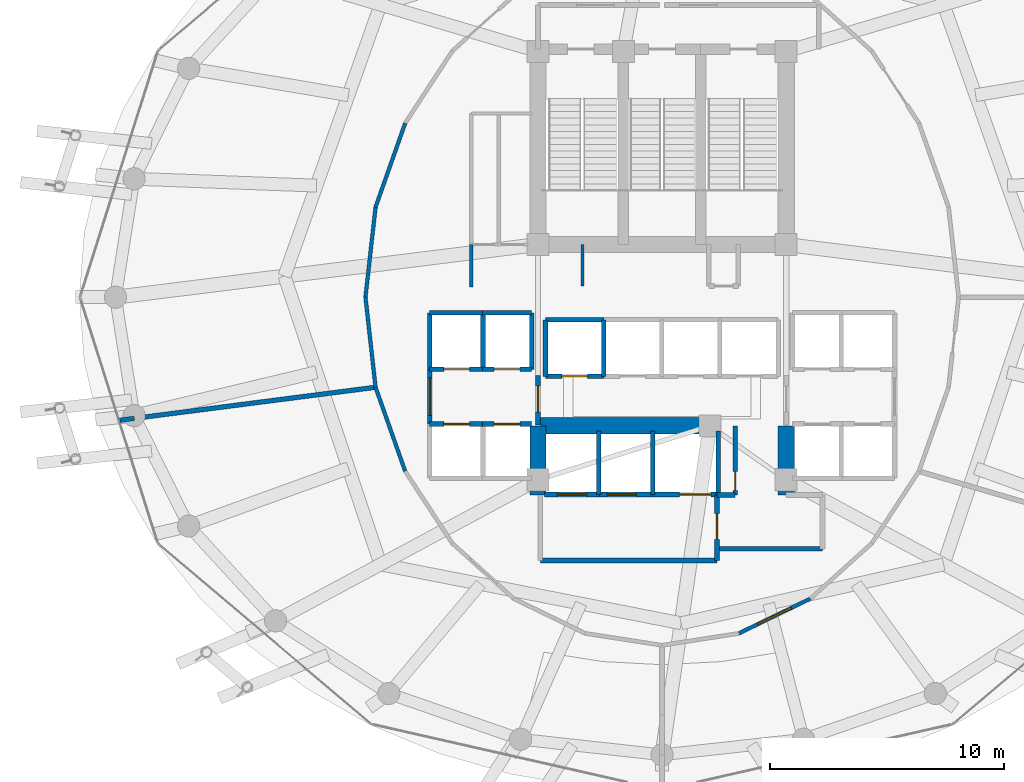
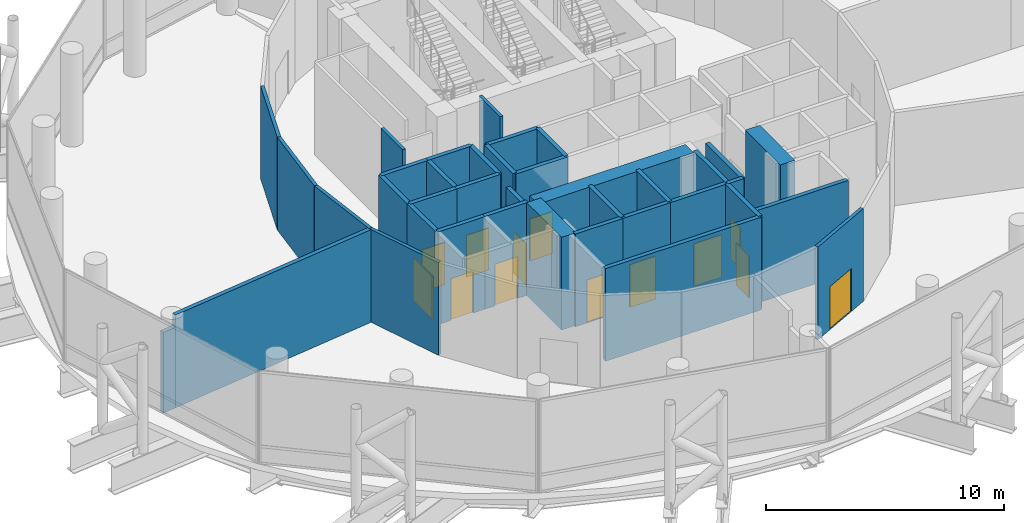
# One storey, part 22 of 29: 38 walls, 13 doors, 13 openings.
"""IFC4 building model written with IfcOpenShell, lengths in metres."""

from ifc_helpers import new_model, si_unit, direction, frame, frame_2d, origin, place, context, subcontext, project, spatial, rectangle, extrude, material, layer, layer_set, type_object, element, fill, save


model = new_model("IFC4")

# Units and contexts
model_context = context("Model", 3, precision=1e-05, world=origin(), true_north=direction((0.0, 1.0)))
body_context = subcontext(model_context, "Body", "Model", "MODEL_VIEW")
ifc_project = project(units=[si_unit("LENGTHUNIT", "METRE"), si_unit("AREAUNIT", "SQUARE_METRE"), si_unit("VOLUMEUNIT", "CUBIC_METRE"), si_unit("PLANEANGLEUNIT", "RADIAN"), si_unit("MASSUNIT", "GRAM", prefix="KILO")], contexts=[model_context])

# Site, building, storey
site_placement = place(None, origin())
site = spatial("IfcSite", under=ifc_project, at=site_placement, CompositionType="ELEMENT")
building_placement = place(site_placement, origin())
building = spatial("IfcBuilding", under=site, at=building_placement, Name="Nuhasar Tower", CompositionType="ELEMENT")
storey_placement = place(building_placement, frame((0.0, 0.0, 113.25)))
storey = spatial("IfcBuildingStorey", under=building, at=storey_placement, Name="L26", CompositionType="ELEMENT", Elevation=113.25)

# Walls
ifc_material_1 = material(Name="Concrete C65/80", Category="concrete")
ifc_layer_1 = layer(ifc_material_1, 0.699951171875)
ifc_layer_set_1 = layer_set([ifc_layer_1], Name="Concrete C65/80")
wall_type_1 = type_object("IfcWallType", Name="WL-CORE-700", PredefinedType="SHEAR", material=ifc_layer_set_1)
for number, where, z_axis, x_axis, name in (
    (1, (33.699951171875, 18.35009765625, 0.0), (0.0, 0.0, 1.0), (0.0, 1.0, 0.0), "L26 Core Shear Wall CW-SW CW-700"),
    (2, (44.300048828125, 18.35009765625, 0.0), (0.0, 0.0, 1.0), (0.0, 1.0, 0.0), "L26 Core Shear Wall CW-SE CW-700"),
):
    element("IfcWall", number, at=place(storey_placement, frame(where, z_axis=z_axis, x_axis=x_axis)), inside=storey, type_object=wall_type_1, Name=name, PredefinedType="SHEAR", context=body_context, shape_type="SweptSolid", body=[
        extrude(rectangle(XDim=2.949951171875, YDim=0.699951171875, at=frame_2d((1.47509765625, 0.0))), origin(), (0.0, 0.0, 1.0), 4.75),
    ])
wall_1_placement = place(storey_placement, frame((33.699951171875, 21.300048828125, 0.0), z_axis=(0.0, 0.0, 1.0), x_axis=(1.0, 0.0, 0.0)))
element("IfcWall", 3, at=wall_1_placement, inside=storey, type_object=wall_type_1, Name="L26 Core Shear Wall CW-S1 CW-700", PredefinedType="SHEAR", context=body_context, shape_type="SweptSolid", body=[
    extrude(rectangle(XDim=7.550048828125, YDim=0.699951171875, at=frame_2d((3.77490234375, 0.0))), origin(), (0.0, 0.0, 1.0), 4.75),
])
ifc_material_2 = material(Name="Gypsum Board", Category="gypsum")
ifc_layer_2 = layer(ifc_material_2, 0.159912109375)
ifc_layer_set_2 = layer_set([ifc_layer_2], Name="Gypsum Board")
wall_type_2 = type_object("IfcWallType", Name="WL-CORR-160", PredefinedType="PARTITIONING", material=ifc_layer_set_2)
wall_2_placement = place(storey_placement, frame((28.027099609375, 34.235107421875, 0.0), z_axis=(0.0, 0.0, 1.0), x_axis=(-0.332685787644, -0.943037733444, 0.0)))
element("IfcWall", 4, at=wall_2_placement, inside=storey, type_object=wall_type_2, Name="L26 Interior Partition CORR-20", PredefinedType="PARTITIONING", context=body_context, shape_type="SweptSolid", body=[
    extrude(rectangle(XDim=3.802734375, YDim=0.159912109375, at=frame_2d((1.9013671875, 0.0))), origin(), (0.0, 0.0, 1.0), 4.75),
])
wall_3_placement = place(storey_placement, frame((26.761962890625, 30.64892578125, 0.0), z_axis=(0.0, 0.0, 1.0), x_axis=(-0.111510761023, -0.993763226416, 0.0)))
element("IfcWall", 5, at=wall_3_placement, inside=storey, type_object=wall_type_2, Name="L26 Interior Partition CORR-22", PredefinedType="PARTITIONING", context=body_context, shape_type="SweptSolid", body=[
    extrude(rectangle(XDim=3.873046875, YDim=0.159912109375, at=frame_2d((1.9365234375, 0.0))), origin(), (0.0, 0.0, 1.0), 4.75),
])
wall_4_placement = place(storey_placement, frame((26.330078125, 26.800048828125, 0.0), z_axis=(0.0, 0.0, 1.0), x_axis=(0.1115037761, -0.993764010173, 0.0)))
element("IfcWall", 6, at=wall_4_placement, inside=storey, type_object=wall_type_2, Name="L26 Interior Partition CORR-24", PredefinedType="PARTITIONING", context=body_context, shape_type="SweptSolid", body=[
    extrude(rectangle(XDim=3.873291015625, YDim=0.159912109375, at=frame_2d((1.9365234375, 0.0))), origin(), (0.0, 0.0, 1.0), 4.75),
])
wall_5_placement = place(storey_placement, frame((26.761962890625, 22.950927734375, 0.0), z_axis=(0.0, 0.0, 1.0), x_axis=(0.332705930675, -0.943030627124, 0.0)))
element("IfcWall", 7, at=wall_5_placement, inside=storey, type_object=wall_type_2, Name="L26 Interior Partition CORR-26", PredefinedType="PARTITIONING", context=body_context, shape_type="SweptSolid", body=[
    extrude(rectangle(XDim=3.802490234375, YDim=0.159912109375, at=frame_2d((1.9013671875, 0.0))), origin(), (0.0, 0.0, 1.0), 4.75),
])

# Wall, opening, door
wall_6_placement = place(storey_placement, frame((45.3349609375, 13.922119140625, 0.0), z_axis=(0.0, 0.0, 1.0), x_axis=(-0.899414545514, -0.437096642995, 0.0)))
wall_6 = element("IfcWall", 8, at=wall_6_placement, inside=storey, type_object=wall_type_2, Name="L26 Interior Partition CORR-38", PredefinedType="PARTITIONING", context=body_context, shape_type="SweptSolid", body=[
    extrude(rectangle(XDim=3.397705078125, YDim=0.159912109375, at=frame_2d((1.69873046875, 0.0))), origin(), (0.0, 0.0, 1.0), 4.75),
])
opening_1_placement = place(wall_6_placement, frame((0.89892578125, 0.0, 0.0)))
opening_1 = element("IfcOpeningElement", 9, at=opening_1_placement, cuts=wall_6, Name="Opening DC-01", PredefinedType="OPENING", context=body_context, shape_type="SweptSolid", body=[
    extrude(rectangle(XDim=1.60009765625, YDim=2.199951171875, at=frame_2d((0.800048828125, 1.10009765625))), frame((0.0, 0.08984375, 0.0), z_axis=(0.0, -1.0, 0.0), x_axis=(1.0, 0.0, 0.0)), (0.0, 0.0, 1.0), 0.179931640625),
])
ifc_material_3 = material(Name="Steel S355", Category="steel")
door_type_1 = type_object("IfcDoorType", Name="DR-CORR-FD60-1600", OperationType="DOUBLE_DOOR_SINGLE_SWING", PredefinedType="DOOR", material=ifc_material_3)
door_1_placement = place(opening_1_placement, origin())
door_1 = element("IfcDoor", 10, at=door_1_placement, inside=storey, type_object=door_type_1, Name="L26 South Business Boardroom Door", OperationType="DOUBLE_DOOR_SINGLE_SWING", OverallHeight=2.199951171875, OverallWidth=1.60009765625, PredefinedType="DOOR", context=body_context, shape_type="SweptSolid", body=[
    extrude(rectangle(XDim=1.60009765625, YDim=2.199951171875, at=frame_2d((0.800048828125, 1.10009765625))), frame((0.0, 0.02490234375, 0.0), z_axis=(0.0, -1.0, 0.0), x_axis=(1.0, 0.0, 0.0)), (0.0, 0.0, 1.0), 0.050048828125),
])
fill(opening_1, door_1)

ifc_material_4 = material(Name="Concrete C45/55", Category="concrete")
ifc_layer_3 = layer(ifc_material_4, 0.199951171875)
ifc_layer_set_3 = layer_set([ifc_layer_3], Name="Concrete C45/55")
wall_type_3 = type_object("IfcWallType", Name="WL-LOBBY-200", PredefinedType="SOLIDWALL", material=ifc_layer_set_3)
wall_7_placement = place(storey_placement, frame((29.070068359375, 21.3798828125, 0.0), z_axis=(0.0, 0.0, 1.0), x_axis=(0.0, 1.0, 0.0)))
wall_7 = element("IfcWall", 11, at=wall_7_placement, inside=storey, type_object=wall_type_3, Name="L26 Interior Partition LLBL-W", PredefinedType="SOLIDWALL", context=body_context, shape_type="SweptSolid", body=[
    extrude(rectangle(XDim=2.340087890625, YDim=0.199951171875, at=frame_2d((1.169921875, 0.0))), origin(), (0.0, 0.0, 1.0), 4.75),
])
opening_2_placement = place(wall_7_placement, frame((0.3701171875, 0.0, 0.0)))
opening_2 = element("IfcOpeningElement", 12, at=opening_2_placement, cuts=wall_7, Name="Opening DC-01", PredefinedType="OPENING", context=body_context, shape_type="SweptSolid", body=[
    extrude(rectangle(XDim=1.60009765625, YDim=2.199951171875, at=frame_2d((0.800048828125, 1.10009765625))), frame((0.0, 0.10986328125, 0.0), z_axis=(0.0, -1.0, 0.0), x_axis=(1.0, 0.0, 0.0)), (0.0, 0.0, 1.0), 0.219970703125),
])
door_2_placement = place(opening_2_placement, origin())
door_2 = element("IfcDoor", 13, at=door_2_placement, inside=storey, type_object=door_type_1, Name="L26 Low-Rise Lift Lobby West Entry", OperationType="DOUBLE_DOOR_SINGLE_SWING", OverallHeight=2.199951171875, OverallWidth=1.60009765625, PredefinedType="DOOR", context=body_context, shape_type="SweptSolid", body=[
    extrude(rectangle(XDim=1.60009765625, YDim=2.199951171875, at=frame_2d((0.800048828125, 1.10009765625))), frame((0.0, 0.02490234375, 0.0), z_axis=(0.0, -1.0, 0.0), x_axis=(1.0, 0.0, 0.0)), (0.0, 0.0, 1.0), 0.050048828125),
])
fill(opening_2, door_2)

wall_8_placement = place(storey_placement, frame((33.699951171875, 21.35009765625, 0.0), z_axis=(0.0, 0.0, 1.0), x_axis=(0.0, 1.0, 0.0)))
wall_8 = element("IfcWall", 14, at=wall_8_placement, inside=storey, type_object=wall_type_3, Name="L26 Interior Partition LLBH-W", PredefinedType="SOLIDWALL", context=body_context, shape_type="SweptSolid", body=[
    extrude(rectangle(XDim=2.099853515625, YDim=0.199951171875, at=frame_2d((1.0498046875, 0.0))), origin(), (0.0, 0.0, 1.0), 4.135009765625),
])
opening_3_placement = place(wall_8_placement, frame((0.550048828125, 0.0, 0.0)))
opening_3 = element("IfcOpeningElement", 15, at=opening_3_placement, cuts=wall_8, Name="Opening DS-02", PredefinedType="OPENING", context=body_context, shape_type="SweptSolid", body=[
    extrude(rectangle(XDim=1.10009765625, YDim=2.14990234375, at=frame_2d((0.550048828125, 1.074951171875))), frame((0.0, 0.10986328125, 0.0), z_axis=(0.0, -1.0, 0.0), x_axis=(1.0, 0.0, 0.0)), (0.0, 0.0, 1.0), 0.219970703125),
])
door_type_2 = type_object("IfcDoorType", Name="DR-FFL-FD120-1100", OperationType="NOTDEFINED", PredefinedType="DOOR", material=ifc_material_3)
door_3_placement = place(opening_3_placement, origin())
door_3 = element("IfcDoor", 16, at=door_3_placement, inside=storey, type_object=door_type_2, Name="L26 High-Rise Lobby West Door", OperationType="SINGLE_SWING_RIGHT", OverallHeight=2.14990234375, OverallWidth=1.10009765625, PredefinedType="DOOR", context=body_context, shape_type="SweptSolid", body=[
    extrude(rectangle(XDim=1.10009765625, YDim=2.14990234375, at=frame_2d((0.550048828125, 1.074951171875))), frame((0.0, 0.02490234375, 0.0), z_axis=(0.0, -1.0, 0.0), x_axis=(1.0, 0.0, 0.0)), (0.0, 0.0, 1.0), 0.050048828125),
])
fill(opening_3, door_3)

# Wall
wall_9_placement = place(storey_placement, frame((33.800048828125, 15.550048828125, 0.0), z_axis=(0.0, 0.0, 1.0), x_axis=(1.0, 0.0, 0.0)))
element("IfcWall", 17, at=wall_9_placement, inside=storey, type_object=wall_type_3, Name="L26 Interior Partition FFL-S", PredefinedType="SOLIDWALL", context=body_context, shape_type="SweptSolid", body=[
    extrude(rectangle(XDim=7.550048828125, YDim=0.199951171875, at=frame_2d((3.77490234375, 0.0))), origin(), (0.0, 0.0, 1.0), 4.75),
])

# Wall, opening, door
wall_10_placement = place(storey_placement, frame((41.35009765625, 15.550048828125, 0.0), z_axis=(0.0, 0.0, 1.0), x_axis=(0.0, 1.0, 0.0)))
wall_10 = element("IfcWall", 18, at=wall_10_placement, inside=storey, type_object=wall_type_3, Name="L26 Interior Partition FFL-E", PredefinedType="SOLIDWALL", context=body_context, shape_type="SweptSolid", body=[
    extrude(rectangle(XDim=2.800048828125, YDim=0.199951171875, at=frame_2d((1.39990234375, 0.0))), origin(), (0.0, 0.0, 1.0), 4.75),
])
opening_4_placement = place(wall_10_placement, frame((0.89990234375, 0.0, 0.0)))
opening_4 = element("IfcOpeningElement", 19, at=opening_4_placement, cuts=wall_10, Name="Opening DS-02", PredefinedType="OPENING", context=body_context, shape_type="SweptSolid", body=[
    extrude(rectangle(XDim=1.10009765625, YDim=2.14990234375, at=frame_2d((0.550048828125, 1.074951171875))), frame((0.0, 0.10986328125, 0.0), z_axis=(0.0, -1.0, 0.0), x_axis=(1.0, 0.0, 0.0)), (0.0, 0.0, 1.0), 0.219970703125),
])
door_4_placement = place(opening_4_placement, origin())
door_4 = element("IfcDoor", 20, at=door_4_placement, inside=storey, type_object=door_type_2, Name="L26 Firefighting Lobby Door", OperationType="SINGLE_SWING_RIGHT", OverallHeight=2.14990234375, OverallWidth=1.10009765625, PredefinedType="DOOR", context=body_context, shape_type="SweptSolid", body=[
    extrude(rectangle(XDim=1.10009765625, YDim=2.14990234375, at=frame_2d((0.550048828125, 1.074951171875))), frame((0.0, 0.02490234375, 0.0), z_axis=(0.0, -1.0, 0.0), x_axis=(1.0, 0.0, 0.0)), (0.0, 0.0, 1.0), 0.050048828125),
])
fill(opening_4, door_4)

# Wall
wall_11_placement = place(storey_placement, frame((41.35009765625, 16.050048828125, 0.0), z_axis=(0.0, 0.0, 1.0), x_axis=(1.0, 0.0, 0.0)))
element("IfcWall", 21, at=wall_11_placement, inside=storey, type_object=wall_type_3, Name="L26 Interior Partition SVLV-S", PredefinedType="SOLIDWALL", context=body_context, shape_type="SweptSolid", body=[
    extrude(rectangle(XDim=4.5, YDim=0.199951171875, at=frame_2d((2.25, 0.0))), origin(), (0.0, 0.0, 1.0), 4.75),
])

# Wall, opening, door
ifc_layer_4 = layer(ifc_material_4, 0.199951171875)
ifc_layer_set_4 = layer_set([ifc_layer_4], Name="Concrete C45/55")
wall_type_4 = type_object("IfcWallType", Name="WL-SHAFT-200", PredefinedType="SOLIDWALL", material=ifc_layer_set_4)
wall_12_placement = place(storey_placement, frame((29.070068359375, 23.719970703125, 0.0), z_axis=(0.0, 0.0, 1.0), x_axis=(1.0, 0.0, 0.0)))
wall_12 = element("IfcWall", 22, at=wall_12_placement, inside=storey, type_object=wall_type_4, Name="L26 Interior Partition SHF-PL-L01-S", PredefinedType="SOLIDWALL", context=body_context, shape_type="SweptSolid", body=[
    extrude(rectangle(XDim=2.309814453125, YDim=0.199951171875, at=frame_2d((1.15478515625, 0.0))), origin(), (0.0, 0.0, 1.0), 4.75),
])
opening_5_placement = place(wall_12_placement, frame((0.60498046875, 0.0, 0.0)))
opening_5 = element("IfcOpeningElement", 23, at=opening_5_placement, cuts=wall_12, Name="Opening LD-L01", PredefinedType="OPENING", context=body_context, shape_type="SweptSolid", body=[
    extrude(rectangle(XDim=1.10009765625, YDim=2.14990234375, at=frame_2d((0.550048828125, 1.074951171875))), frame((0.0, 0.10986328125, 0.0), z_axis=(0.0, -1.0, 0.0), x_axis=(1.0, 0.0, 0.0)), (0.0, 0.0, 1.0), 0.219970703125),
])
ifc_material_5 = material(Name="Stainless Steel 316L", Category="steel")
door_type_3 = type_object("IfcDoorType", Name="LD-PAX-1100", OperationType="DOUBLE_DOOR_SLIDING", PredefinedType="DOOR", material=ifc_material_5)
door_5_placement = place(opening_5_placement, origin())
door_5 = element("IfcDoor", 24, at=door_5_placement, inside=storey, type_object=door_type_3, Name="L26 Lift Landing Door PL-L01", OperationType="DOUBLE_DOOR_SLIDING", OverallHeight=2.14990234375, OverallWidth=1.10009765625, PredefinedType="DOOR", context=body_context, shape_type="SweptSolid", body=[
    extrude(rectangle(XDim=1.10009765625, YDim=2.14990234375, at=frame_2d((0.550048828125, 1.074951171875))), frame((0.0, 0.02490234375, 0.0), z_axis=(0.0, -1.0, 0.0), x_axis=(1.0, 0.0, 0.0)), (0.0, 0.0, 1.0), 0.050048828125),
])
fill(opening_5, door_5)

# Walls
wall_13_placement = place(storey_placement, frame((29.070068359375, 26.1298828125, 0.0), z_axis=(0.0, 0.0, 1.0), x_axis=(1.0, 0.0, 0.0)))
element("IfcWall", 25, at=wall_13_placement, inside=storey, type_object=wall_type_4, Name="L26 Interior Partition SHF-PL-L01-N", PredefinedType="SOLIDWALL", context=body_context, shape_type="SweptSolid", body=[
    extrude(rectangle(XDim=2.309814453125, YDim=0.199951171875, at=frame_2d((1.15478515625, 0.0))), origin(), (0.0, 0.0, 1.0), 4.75),
])
for number, where, z_axis, x_axis, name in (
    (26, (29.070068359375, 23.719970703125, 0.0), (0.0, 0.0, 1.0), (0.0, 1.0, 0.0), "L26 Interior Partition SHF-PL-L01-W"),
    (27, (31.35009765625, 23.719970703125, 0.0), (0.0, 0.0, 1.0), (0.0, 1.0, 0.0), "L26 Interior Partition SHF-PL-L01-E"),
):
    element("IfcWall", number, at=place(storey_placement, frame(where, z_axis=z_axis, x_axis=x_axis)), inside=storey, type_object=wall_type_4, Name=name, PredefinedType="SOLIDWALL", context=body_context, shape_type="SweptSolid", body=[
        extrude(rectangle(XDim=2.409912109375, YDim=0.199951171875, at=frame_2d((1.205078125, 0.0))), origin(), (0.0, 0.0, 1.0), 4.75),
    ])

# Wall, opening, door
wall_14_placement = place(storey_placement, frame((31.320068359375, 23.719970703125, 0.0), z_axis=(0.0, 0.0, 1.0), x_axis=(1.0, 0.0, 0.0)))
wall_14 = element("IfcWall", 28, at=wall_14_placement, inside=storey, type_object=wall_type_4, Name="L26 Interior Partition SHF-PL-L02-S", PredefinedType="SOLIDWALL", context=body_context, shape_type="SweptSolid", body=[
    extrude(rectangle(XDim=2.10986328125, YDim=0.199951171875, at=frame_2d((1.054931640625, 0.0))), origin(), (0.0, 0.0, 1.0), 4.75),
])
opening_6_placement = place(wall_14_placement, frame((0.5048828125, 0.0, 0.0)))
opening_6 = element("IfcOpeningElement", 29, at=opening_6_placement, cuts=wall_14, Name="Opening LD-L02", PredefinedType="OPENING", context=body_context, shape_type="SweptSolid", body=[
    extrude(rectangle(XDim=1.10009765625, YDim=2.14990234375, at=frame_2d((0.550048828125, 1.074951171875))), frame((0.0, 0.10986328125, 0.0), z_axis=(0.0, -1.0, 0.0), x_axis=(1.0, 0.0, 0.0)), (0.0, 0.0, 1.0), 0.219970703125),
])
door_6_placement = place(opening_6_placement, origin())
door_6 = element("IfcDoor", 30, at=door_6_placement, inside=storey, type_object=door_type_3, Name="L26 Lift Landing Door PL-L02", OperationType="DOUBLE_DOOR_SLIDING", OverallHeight=2.14990234375, OverallWidth=1.10009765625, PredefinedType="DOOR", context=body_context, shape_type="SweptSolid", body=[
    extrude(rectangle(XDim=1.10009765625, YDim=2.14990234375, at=frame_2d((0.550048828125, 1.074951171875))), frame((0.0, 0.02490234375, 0.0), z_axis=(0.0, -1.0, 0.0), x_axis=(1.0, 0.0, 0.0)), (0.0, 0.0, 1.0), 0.050048828125),
])
fill(opening_6, door_6)

# Walls
wall_15_placement = place(storey_placement, frame((31.320068359375, 26.1298828125, 0.0), z_axis=(0.0, 0.0, 1.0), x_axis=(1.0, 0.0, 0.0)))
element("IfcWall", 31, at=wall_15_placement, inside=storey, type_object=wall_type_4, Name="L26 Interior Partition SHF-PL-L02-N", PredefinedType="SOLIDWALL", context=body_context, shape_type="SweptSolid", body=[
    extrude(rectangle(XDim=2.10986328125, YDim=0.199951171875, at=frame_2d((1.054931640625, 0.0))), origin(), (0.0, 0.0, 1.0), 4.75),
])
wall_16_placement = place(storey_placement, frame((33.429931640625, 23.719970703125, 0.0), z_axis=(0.0, 0.0, 1.0), x_axis=(0.0, 1.0, 0.0)))
element("IfcWall", 32, at=wall_16_placement, inside=storey, type_object=wall_type_4, Name="L26 Interior Partition SHF-PL-L02-E", PredefinedType="SOLIDWALL", context=body_context, shape_type="SweptSolid", body=[
    extrude(rectangle(XDim=2.409912109375, YDim=0.199951171875, at=frame_2d((1.205078125, 0.0))), origin(), (0.0, 0.0, 1.0), 4.75),
])

# Wall, opening, door
wall_17_placement = place(storey_placement, frame((29.070068359375, 21.3798828125, 0.0), z_axis=(0.0, 0.0, 1.0), x_axis=(1.0, 0.0, 0.0)))
wall_17 = element("IfcWall", 33, at=wall_17_placement, inside=storey, type_object=wall_type_4, Name="L26 Interior Partition SHF-PL-L03-N", PredefinedType="SOLIDWALL", context=body_context, shape_type="SweptSolid", body=[
    extrude(rectangle(XDim=2.309814453125, YDim=0.199951171875, at=frame_2d((1.15478515625, 0.0))), origin(), (0.0, 0.0, 1.0), 4.75),
])
opening_7_placement = place(wall_17_placement, frame((0.60498046875, 0.0, 0.0)))
opening_7 = element("IfcOpeningElement", 34, at=opening_7_placement, cuts=wall_17, Name="Opening LD-L03", PredefinedType="OPENING", context=body_context, shape_type="SweptSolid", body=[
    extrude(rectangle(XDim=1.10009765625, YDim=2.14990234375, at=frame_2d((0.550048828125, 1.074951171875))), frame((0.0, 0.10986328125, 0.0), z_axis=(0.0, -1.0, 0.0), x_axis=(1.0, 0.0, 0.0)), (0.0, 0.0, 1.0), 0.219970703125),
])
door_7_placement = place(opening_7_placement, origin())
door_7 = element("IfcDoor", 35, at=door_7_placement, inside=storey, type_object=door_type_3, Name="L26 Lift Landing Door PL-L03", OperationType="DOUBLE_DOOR_SLIDING", OverallHeight=2.14990234375, OverallWidth=1.10009765625, PredefinedType="DOOR", context=body_context, shape_type="SweptSolid", body=[
    extrude(rectangle(XDim=1.10009765625, YDim=2.14990234375, at=frame_2d((0.550048828125, 1.074951171875))), frame((0.0, 0.02490234375, 0.0), z_axis=(0.0, -1.0, 0.0), x_axis=(1.0, 0.0, 0.0)), (0.0, 0.0, 1.0), 0.050048828125),
])
fill(opening_7, door_7)

wall_18_placement = place(storey_placement, frame((31.320068359375, 21.3798828125, 0.0), z_axis=(0.0, 0.0, 1.0), x_axis=(1.0, 0.0, 0.0)))
wall_18 = element("IfcWall", 36, at=wall_18_placement, inside=storey, type_object=wall_type_4, Name="L26 Interior Partition SHF-PL-L04-N", PredefinedType="SOLIDWALL", context=body_context, shape_type="SweptSolid", body=[
    extrude(rectangle(XDim=2.10986328125, YDim=0.199951171875, at=frame_2d((1.054931640625, 0.0))), origin(), (0.0, 0.0, 1.0), 4.75),
])
opening_8_placement = place(wall_18_placement, frame((0.5048828125, 0.0, 0.0)))
opening_8 = element("IfcOpeningElement", 37, at=opening_8_placement, cuts=wall_18, Name="Opening LD-L04", PredefinedType="OPENING", context=body_context, shape_type="SweptSolid", body=[
    extrude(rectangle(XDim=1.10009765625, YDim=2.14990234375, at=frame_2d((0.550048828125, 1.074951171875))), frame((0.0, 0.10986328125, 0.0), z_axis=(0.0, -1.0, 0.0), x_axis=(1.0, 0.0, 0.0)), (0.0, 0.0, 1.0), 0.219970703125),
])
door_8_placement = place(opening_8_placement, origin())
door_8 = element("IfcDoor", 38, at=door_8_placement, inside=storey, type_object=door_type_3, Name="L26 Lift Landing Door PL-L04", OperationType="DOUBLE_DOOR_SLIDING", OverallHeight=2.14990234375, OverallWidth=1.10009765625, PredefinedType="DOOR", context=body_context, shape_type="SweptSolid", body=[
    extrude(rectangle(XDim=1.10009765625, YDim=2.14990234375, at=frame_2d((0.550048828125, 1.074951171875))), frame((0.0, 0.02490234375, 0.0), z_axis=(0.0, -1.0, 0.0), x_axis=(1.0, 0.0, 0.0)), (0.0, 0.0, 1.0), 0.050048828125),
])
fill(opening_8, door_8)

wall_19_placement = place(storey_placement, frame((34.02001953125, 23.419921875, 0.0), z_axis=(0.0, 0.0, 1.0), x_axis=(1.0, 0.0, 0.0)))
wall_19 = element("IfcWall", 39, at=wall_19_placement, inside=storey, type_object=wall_type_4, Name="L26 Interior Partition SHF-PL-H01-S", PredefinedType="SOLIDWALL", context=body_context, shape_type="SweptSolid", body=[
    extrude(rectangle(XDim=2.5, YDim=0.199951171875, at=frame_2d((1.25, 0.0))), origin(), (0.0, 0.0, 1.0), 4.75),
])
opening_9_placement = place(wall_19_placement, frame((0.699951171875, 0.0, 0.0)))
opening_9 = element("IfcOpeningElement", 40, at=opening_9_placement, cuts=wall_19, Name="Opening LD-H01", PredefinedType="OPENING", context=body_context, shape_type="SweptSolid", body=[
    extrude(rectangle(XDim=1.10009765625, YDim=2.14990234375, at=frame_2d((0.550048828125, 1.074951171875))), frame((0.0, 0.10986328125, 0.0), z_axis=(0.0, -1.0, 0.0), x_axis=(1.0, 0.0, 0.0)), (0.0, 0.0, 1.0), 0.219970703125),
])
door_9_placement = place(opening_9_placement, origin())
door_9 = element("IfcDoor", 41, at=door_9_placement, inside=storey, type_object=door_type_3, Name="L26 Lift Landing Door PL-H01", OperationType="DOUBLE_DOOR_SLIDING", OverallHeight=2.14990234375, OverallWidth=1.10009765625, PredefinedType="DOOR", context=body_context, shape_type="SweptSolid", body=[
    extrude(rectangle(XDim=1.10009765625, YDim=2.14990234375, at=frame_2d((0.550048828125, 1.074951171875))), frame((0.0, 0.02490234375, 0.0), z_axis=(0.0, -1.0, 0.0), x_axis=(1.0, 0.0, 0.0)), (0.0, 0.0, 1.0), 0.050048828125),
])
fill(opening_9, door_9)

# Walls
wall_20_placement = place(storey_placement, frame((34.02001953125, 25.830078125, 0.0), z_axis=(0.0, 0.0, 1.0), x_axis=(1.0, 0.0, 0.0)))
element("IfcWall", 42, at=wall_20_placement, inside=storey, type_object=wall_type_4, Name="L26 Interior Partition SHF-PL-H01-N", PredefinedType="SOLIDWALL", context=body_context, shape_type="SweptSolid", body=[
    extrude(rectangle(XDim=2.5, YDim=0.199951171875, at=frame_2d((1.25, 0.0))), origin(), (0.0, 0.0, 1.0), 4.75),
])
for number, where, z_axis, x_axis, name in (
    (43, (34.02001953125, 23.419921875, 0.0), (0.0, 0.0, 1.0), (0.0, 1.0, 0.0), "L26 Interior Partition SHF-PL-H01-W"),
    (44, (36.510009765625, 23.419921875, 0.0), (0.0, 0.0, 1.0), (0.0, 1.0, 0.0), "L26 Interior Partition SHF-PL-H01-E"),
):
    element("IfcWall", number, at=place(storey_placement, frame(where, z_axis=z_axis, x_axis=x_axis)), inside=storey, type_object=wall_type_4, Name=name, PredefinedType="SOLIDWALL", context=body_context, shape_type="SweptSolid", body=[
        extrude(rectangle(XDim=2.41015625, YDim=0.199951171875, at=frame_2d((1.205078125, 0.0))), origin(), (0.0, 0.0, 1.0), 4.75),
    ])

# Wall, opening, door
wall_21_placement = place(storey_placement, frame((33.969970703125, 18.3701171875, 0.0), z_axis=(0.0, 0.0, 1.0), x_axis=(1.0, 0.0, 0.0)))
wall_21 = element("IfcWall", 45, at=wall_21_placement, inside=storey, type_object=wall_type_4, Name="L26 Interior Partition SHF-FFL-01-S", PredefinedType="SOLIDWALL", context=body_context, shape_type="SweptSolid", body=[
    extrude(rectangle(XDim=2.360107421875, YDim=0.199951171875, at=frame_2d((1.18017578125, 0.0))), origin(), (0.0, 0.0, 1.0), 4.75),
])
opening_10_placement = place(wall_21_placement, frame((0.554931640625, 0.0, 0.0)))
opening_10 = element("IfcOpeningElement", 46, at=opening_10_placement, cuts=wall_21, Name="Opening LD-F01", PredefinedType="OPENING", context=body_context, shape_type="SweptSolid", body=[
    extrude(rectangle(XDim=1.25, YDim=2.199951171875, at=frame_2d((0.625, 1.10009765625))), frame((0.0, 0.10986328125, 0.0), z_axis=(0.0, -1.0, 0.0), x_axis=(1.0, 0.0, 0.0)), (0.0, 0.0, 1.0), 0.219970703125),
])
door_type_4 = type_object("IfcDoorType", Name="LD-FFL-1250", OperationType="DOUBLE_DOOR_SLIDING", PredefinedType="DOOR", material=ifc_material_5)
door_10_placement = place(opening_10_placement, origin())
door_10 = element("IfcDoor", 47, at=door_10_placement, inside=storey, type_object=door_type_4, Name="L26 Lift Landing Door FFL-01", OperationType="DOUBLE_DOOR_SLIDING", OverallHeight=2.199951171875, OverallWidth=1.25, PredefinedType="DOOR", context=body_context, shape_type="SweptSolid", body=[
    extrude(rectangle(XDim=1.25, YDim=2.199951171875, at=frame_2d((0.625, 1.10009765625))), frame((0.0, 0.02490234375, 0.0), z_axis=(0.0, -1.0, 0.0), x_axis=(1.0, 0.0, 0.0)), (0.0, 0.0, 1.0), 0.050048828125),
])
fill(opening_10, door_10)

# Wall
wall_22_placement = place(storey_placement, frame((36.300048828125, 18.3701171875, 0.0), z_axis=(0.0, 0.0, 1.0), x_axis=(0.0, 1.0, 0.0)))
element("IfcWall", 48, at=wall_22_placement, inside=storey, type_object=wall_type_4, Name="L26 Interior Partition SHF-FFL-01-E", PredefinedType="SOLIDWALL", context=body_context, shape_type="SweptSolid", body=[
    extrude(rectangle(XDim=2.7099609375, YDim=0.199951171875, at=frame_2d((1.35498046875, 0.0))), origin(), (0.0, 0.0, 1.0), 4.75),
])

# Wall, opening, door
wall_23_placement = place(storey_placement, frame((36.27001953125, 18.3701171875, 0.0), z_axis=(0.0, 0.0, 1.0), x_axis=(1.0, 0.0, 0.0)))
wall_23 = element("IfcWall", 49, at=wall_23_placement, inside=storey, type_object=wall_type_4, Name="L26 Interior Partition SHF-FFL-02-S", PredefinedType="SOLIDWALL", context=body_context, shape_type="SweptSolid", body=[
    extrude(rectangle(XDim=2.35986328125, YDim=0.199951171875, at=frame_2d((1.179931640625, 0.0))), origin(), (0.0, 0.0, 1.0), 4.75),
])
opening_11_placement = place(wall_23_placement, frame((0.3798828125, 0.0, 0.0)))
opening_11 = element("IfcOpeningElement", 50, at=opening_11_placement, cuts=wall_23, Name="Opening LD-F02", PredefinedType="OPENING", context=body_context, shape_type="SweptSolid", body=[
    extrude(rectangle(XDim=1.25, YDim=2.199951171875, at=frame_2d((0.625, 1.10009765625))), frame((0.0, 0.10986328125, 0.0), z_axis=(0.0, -1.0, 0.0), x_axis=(1.0, 0.0, 0.0)), (0.0, 0.0, 1.0), 0.219970703125),
])
door_11_placement = place(opening_11_placement, origin())
door_11 = element("IfcDoor", 51, at=door_11_placement, inside=storey, type_object=door_type_4, Name="L26 Lift Landing Door FFL-02", OperationType="DOUBLE_DOOR_SLIDING", OverallHeight=2.199951171875, OverallWidth=1.25, PredefinedType="DOOR", context=body_context, shape_type="SweptSolid", body=[
    extrude(rectangle(XDim=1.25, YDim=2.199951171875, at=frame_2d((0.625, 1.10009765625))), frame((0.0, 0.02490234375, 0.0), z_axis=(0.0, -1.0, 0.0), x_axis=(1.0, 0.0, 0.0)), (0.0, 0.0, 1.0), 0.050048828125),
])
fill(opening_11, door_11)

# Wall
wall_24_placement = place(storey_placement, frame((38.60009765625, 18.3701171875, 0.0), z_axis=(0.0, 0.0, 1.0), x_axis=(0.0, 1.0, 0.0)))
element("IfcWall", 52, at=wall_24_placement, inside=storey, type_object=wall_type_4, Name="L26 Interior Partition SHF-FFL-02-E", PredefinedType="SOLIDWALL", context=body_context, shape_type="SweptSolid", body=[
    extrude(rectangle(XDim=2.7099609375, YDim=0.199951171875, at=frame_2d((1.35498046875, 0.0))), origin(), (0.0, 0.0, 1.0), 4.75),
])

# Wall, opening, door
wall_25_placement = place(storey_placement, frame((38.570068359375, 18.3701171875, 0.0), z_axis=(0.0, 0.0, 1.0), x_axis=(1.0, 0.0, 0.0)))
wall_25 = element("IfcWall", 53, at=wall_25_placement, inside=storey, type_object=wall_type_4, Name="L26 Interior Partition SHF-SVL-01-S", PredefinedType="SOLIDWALL", context=body_context, shape_type="SweptSolid", body=[
    extrude(rectangle(XDim=2.829833984375, YDim=0.199951171875, at=frame_2d((1.4150390625, 0.0))), origin(), (0.0, 0.0, 1.0), 4.75),
])
opening_12_placement = place(wall_25_placement, frame((1.179931640625, 0.0, 0.0)))
opening_12 = element("IfcOpeningElement", 54, at=opening_12_placement, cuts=wall_25, Name="Opening LD-S01", PredefinedType="OPENING", context=body_context, shape_type="SweptSolid", body=[
    extrude(rectangle(XDim=1.35009765625, YDim=2.179931640625, at=frame_2d((0.675048828125, 1.08984375))), frame((0.0, 0.10986328125, 0.0), z_axis=(0.0, -1.0, 0.0), x_axis=(1.0, 0.0, 0.0)), (0.0, 0.0, 1.0), 0.219970703125),
])
door_type_5 = type_object("IfcDoorType", Name="LD-SVL-1350", OperationType="DOUBLE_DOOR_SLIDING", PredefinedType="DOOR", material=ifc_material_5)
door_12_placement = place(opening_12_placement, origin())
door_12 = element("IfcDoor", 55, at=door_12_placement, inside=storey, type_object=door_type_5, Name="L26 Lift Landing Door SVL-01", OperationType="DOUBLE_DOOR_SLIDING", OverallHeight=2.179931640625, OverallWidth=1.35009765625, PredefinedType="DOOR", context=body_context, shape_type="SweptSolid", body=[
    extrude(rectangle(XDim=1.35009765625, YDim=2.179931640625, at=frame_2d((0.675048828125, 1.08984375))), frame((0.0, 0.02490234375, 0.0), z_axis=(0.0, -1.0, 0.0), x_axis=(1.0, 0.0, 0.0)), (0.0, 0.0, 1.0), 0.050048828125),
])
fill(opening_12, door_12)

# Wall
wall_26_placement = place(storey_placement, frame((41.39990234375, 18.3701171875, 0.0), z_axis=(0.0, 0.0, 1.0), x_axis=(0.0, 1.0, 0.0)))
element("IfcWall", 56, at=wall_26_placement, inside=storey, type_object=wall_type_4, Name="L26 Interior Partition SHF-SVL-01-E", PredefinedType="SOLIDWALL", context=body_context, shape_type="SweptSolid", body=[
    extrude(rectangle(XDim=2.7099609375, YDim=0.199951171875, at=frame_2d((1.35498046875, 0.0))), origin(), (0.0, 0.0, 1.0), 4.75),
])

# Wall, opening, door
wall_27_placement = place(storey_placement, frame((42.1201171875, 18.35009765625, 0.0), z_axis=(0.0, 0.0, 1.0), x_axis=(0.0, 1.0, 0.0)))
wall_27 = element("IfcWall", 57, at=wall_27_placement, inside=storey, type_object=wall_type_4, Name="L26 Interior Partition RSR-E", PredefinedType="SOLIDWALL", context=body_context, shape_type="SweptSolid", body=[
    extrude(rectangle(XDim=2.949951171875, YDim=0.199951171875, at=frame_2d((1.47509765625, 0.0))), origin(), (0.0, 0.0, 1.0), 4.75),
])
opening_13_placement = place(wall_27_placement, frame((0.199951171875, 0.0, 0.0)))
opening_13 = element("IfcOpeningElement", 58, at=opening_13_placement, cuts=wall_27, Name="Opening DM-01", PredefinedType="OPENING", context=body_context, shape_type="SweptSolid", body=[
    extrude(rectangle(XDim=0.800048828125, YDim=2.050048828125, at=frame_2d((0.39990234375, 1.02490234375))), frame((0.0, 0.10986328125, 0.0), z_axis=(0.0, -1.0, 0.0), x_axis=(1.0, 0.0, 0.0)), (0.0, 0.0, 1.0), 0.219970703125),
])
door_type_6 = type_object("IfcDoorType", Name="DR-RISER-FD60-800", OperationType="NOTDEFINED", PredefinedType="DOOR", material=ifc_material_3)
door_13_placement = place(opening_13_placement, origin())
door_13 = element("IfcDoor", 59, at=door_13_placement, inside=storey, type_object=door_type_6, Name="L26 MEP Riser Access Door", OperationType="SINGLE_SWING_LEFT", OverallHeight=2.050048828125, OverallWidth=0.800048828125, PredefinedType="DOOR", context=body_context, shape_type="SweptSolid", body=[
    extrude(rectangle(XDim=0.800048828125, YDim=2.050048828125, at=frame_2d((0.39990234375, 1.02490234375))), frame((0.0, 0.02490234375, 0.0), z_axis=(0.0, -1.0, 0.0), x_axis=(1.0, 0.0, 0.0)), (0.0, 0.0, 1.0), 0.050048828125),
])
fill(opening_13, door_13)

# Walls
wall_28_placement = place(storey_placement, frame((41.35009765625, 18.35009765625, 0.0), z_axis=(0.0, 0.0, 1.0), x_axis=(1.0, 0.0, 0.0)))
element("IfcWall", 60, at=wall_28_placement, inside=storey, type_object=wall_type_4, Name="L26 Interior Partition RSR-S", PredefinedType="SOLIDWALL", context=body_context, shape_type="SweptSolid", body=[
    extrude(rectangle(XDim=0.77001953125, YDim=0.199951171875, at=frame_2d((0.385009765625, 0.0))), origin(), (0.0, 0.0, 1.0), 4.75),
])
ifc_material_6 = material(Name="Concrete C40/50 precast", Category="concrete")
ifc_layer_5 = layer(ifc_material_6, 0.199951171875)
ifc_layer_set_5 = layer_set([ifc_layer_5], Name="Concrete C40/50 precast")
wall_type_5 = type_object("IfcWallType", Name="WL-UNIT-200", PredefinedType="PARTITIONING", material=ifc_layer_set_5)
wall_29_placement = place(storey_placement, frame((26.761962890625, 22.950927734375, 0.0), z_axis=(0.0, 0.0, 1.0), x_axis=(-0.991811599433, -0.127709636403, 0.0)))
element("IfcWall", 61, at=wall_29_placement, inside=storey, type_object=wall_type_5, Name="L26 Interior Partition SRAD-26", PredefinedType="PARTITIONING", context=body_context, shape_type="SweptSolid", body=[
    extrude(rectangle(XDim=10.389892578125, YDim=0.199951171875, at=frame_2d((5.19482421875, 0.0))), origin(), (0.0, 0.0, 1.0), 4.75),
])
wall_30_placement = place(storey_placement, frame((16.45703125, 21.6240234375, 0.0), z_axis=(0.0, 0.0, 1.0), x_axis=(-0.991739395941, -0.128269133229, 0.0)))
element("IfcWall", 62, at=wall_30_placement, inside=storey, type_object=wall_type_5, Name="L26 Interior Partition SRAD-26", PredefinedType="PARTITIONING", context=body_context, shape_type="SweptSolid", body=[
    extrude(rectangle(XDim=0.624267578125, YDim=0.199951171875, at=frame_2d((0.31201171875, 0.0))), origin(), (0.0, 0.0, 1.0), 4.135009765625),
])
ifc_layer_6 = layer(ifc_material_6, 0.139892578125)
ifc_layer_set_6 = layer_set([ifc_layer_6], Name="Concrete C40/50 precast")
wall_type_6 = type_object("IfcWallType", Name="WL-WET-140", PredefinedType="PARTITIONING", material=ifc_layer_set_6)
wall_31_placement = place(storey_placement, frame((35.60009765625, 27.280029296875, 0.0), z_axis=(0.0, 0.0, 1.0), x_axis=(0.0, 1.0, 0.0)))
element("IfcWall", 63, at=wall_31_placement, inside=storey, type_object=wall_type_6, Name="L26 Interior Partition CSVC-W", PredefinedType="PARTITIONING", context=body_context, shape_type="SweptSolid", body=[
    extrude(rectangle(XDim=1.77001953125, YDim=0.139892578125, at=frame_2d((0.885009765625, 0.0))), origin(), (0.0, 0.0, 1.0), 4.75),
])
wall_32_placement = place(storey_placement, frame((30.85009765625, 27.239990234375, 0.0), z_axis=(0.0, 0.0, 1.0), x_axis=(0.0, 1.0, 0.0)))
element("IfcWall", 64, at=wall_32_placement, inside=storey, type_object=wall_type_6, Name="L26 Interior Partition K2-FOY-W", PredefinedType="PARTITIONING", context=body_context, shape_type="SweptSolid", body=[
    extrude(rectangle(XDim=1.81005859375, YDim=0.139892578125, at=frame_2d((0.905029296875, 0.0))), origin(), (0.0, 0.0, 1.0), 4.75),
])

save(model, "model.ifc")
